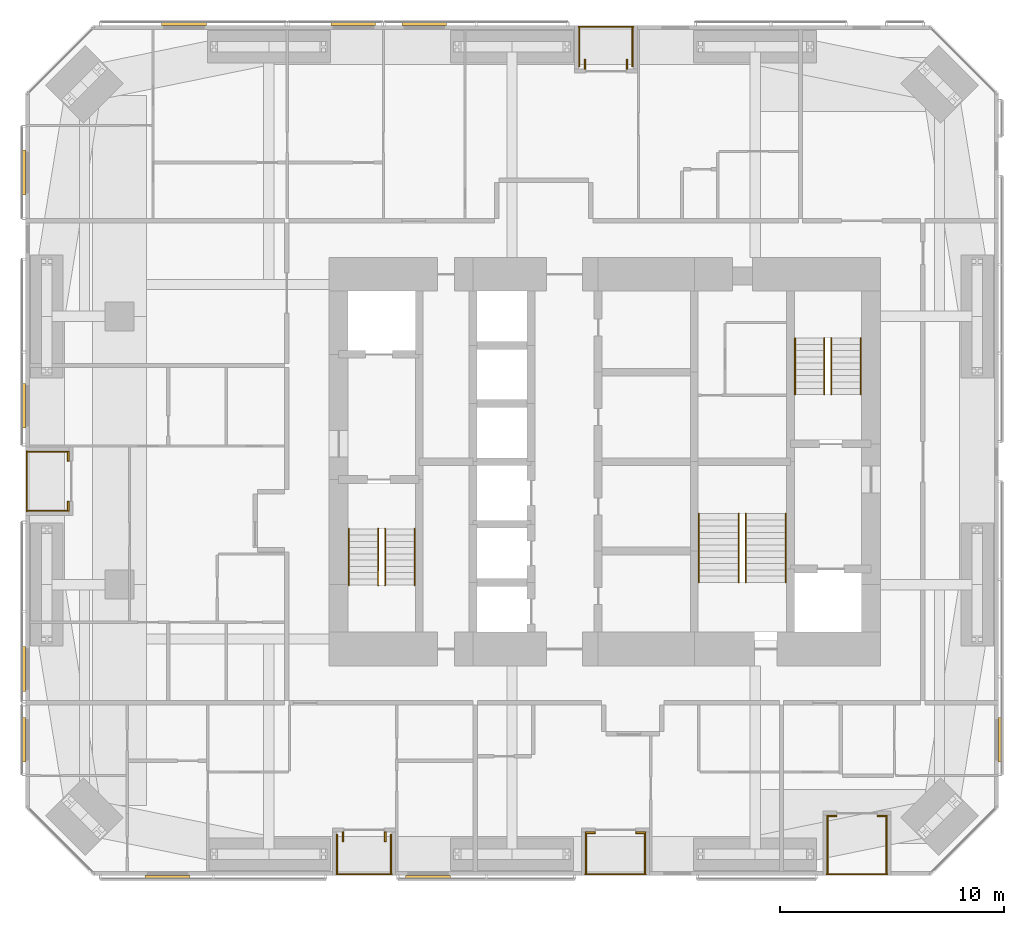
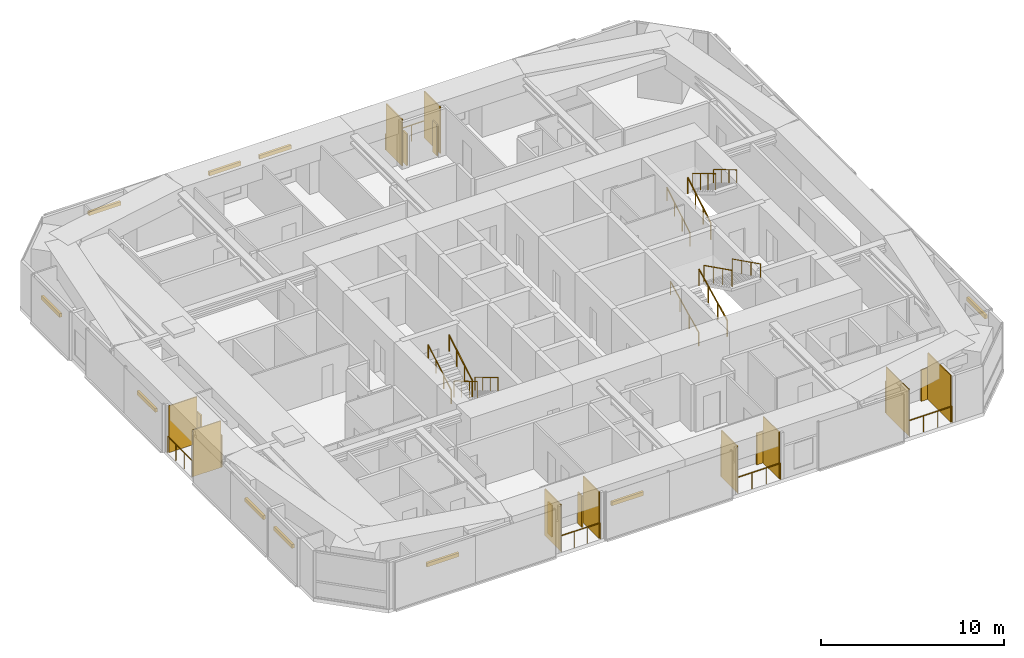
# One storey, part 23 of 23: 30 shading devices, 17 railings.
"""IFC4 building model written with IfcOpenShell, lengths in metres."""

from ifc_helpers import new_model, si_unit, direction, frame, origin, origin_2d, place, context, subcontext, project, spatial, rectangle, circle, extrude, material, layer, layer_set, constituent, constituent_set, type_object, element, save


model = new_model("IFC4")

# Units and contexts
model_context = context("Model", 3, precision=1e-05, world=origin(), true_north=direction((0.0, 1.0)))
body_context = subcontext(model_context, "Body", "Model", "MODEL_VIEW")
ifc_project = project(units=[si_unit("LENGTHUNIT", "METRE"), si_unit("AREAUNIT", "SQUARE_METRE"), si_unit("VOLUMEUNIT", "CUBIC_METRE"), si_unit("PLANEANGLEUNIT", "RADIAN"), si_unit("MASSUNIT", "GRAM", prefix="KILO")], contexts=[model_context])

# Site, building, storey
site_placement = place(None, origin())
site = spatial("IfcSite", under=ifc_project, at=site_placement, CompositionType="ELEMENT")
building_placement = place(site_placement, origin())
building = spatial("IfcBuilding", under=site, at=building_placement, Name="Jalousie Tower", CompositionType="ELEMENT")
storey_placement = place(building_placement, frame((0.0, 0.0, 111.550048828125)))
storey = spatial("IfcBuildingStorey", under=building, at=storey_placement, Name="L30", CompositionType="ELEMENT", Elevation=111.550048828125)

# Shading devices
ifc_material_1 = material(Name="Aluminium impact-rated louvred storm shutter", Category="aluminium")
shading_device_type_1 = type_object("IfcShadingDeviceType", Name="BI-FOLD STORM SHUTTER 900x2100", PredefinedType="SHUTTER", material=ifc_material_1)
for number, where, z_axis, x_axis, name in (
    (1, (20.197509765625, 1.72509765625, 0.0), (0.0, 0.0, 1.0), (0.0, 1.0, 0.0), "Loggia storm shutter L30"),
    (2, (22.077392578125, 1.72509765625, 0.0), (0.0, 0.0, 1.0), (0.0, 1.0, 0.0), "Loggia storm shutter L30"),
    (3, (31.25, 1.909912109375, 0.0), (0.0, 0.0, 1.0), (1.0, 0.0, 0.0), "Loggia storm shutter L30"),
    (4, (33.5, 1.909912109375, 0.0), (0.0, 0.0, 1.0), (1.0, 0.0, 0.0), "Loggia storm shutter L30"),
    (5, (42.050048828125, 2.659912109375, 0.0), (0.0, 0.0, 1.0), (1.0, 0.0, 0.0), "Loggia storm shutter L30"),
    (6, (44.300048828125, 2.659912109375, 0.0), (0.0, 0.0, 1.0), (1.0, 0.0, 0.0), "Loggia storm shutter L30"),
    (7, (32.890625, 36.27490234375, 0.0), (0.0, 0.0, 1.0), (0.0, -1.0, 0.0), "Loggia storm shutter L30"),
    (8, (31.010498046875, 36.27490234375, 0.0), (0.0, 0.0, 1.0), (0.0, -1.0, 0.0), "Loggia storm shutter L30"),
    (9, (7.909912109375, 18.75, 0.0), (0.0, 0.0, 1.0), (0.0, -1.0, 0.0), "Loggia storm shutter L30"),
    (10, (7.909912109375, 16.5, 0.0), (0.0, 0.0, 1.0), (0.0, -1.0, 0.0), "Loggia storm shutter L30"),
):
    element("IfcShadingDevice", number, at=place(storey_placement, frame(where, z_axis=z_axis, x_axis=x_axis)), inside=storey, type_object=shading_device_type_1, Name=name, PredefinedType="SHUTTER", context=body_context, shape_type="SweptSolid", body=[
        extrude(rectangle(XDim=0.449951171875, YDim=0.080078125, at=origin_2d()), origin(), (0.0, 0.0, 1.0), 2.10009765625),
    ])

# Railings
ifc_material_2 = material(Name="Powder-coated aluminium fretwork", Category="aluminium")
railing_type_1 = type_object("IfcRailingType", Name="FRETWORK BALUSTRADE 1100", PredefinedType="BALUSTRADE", material=ifc_material_2)
railing_1_placement = place(storey_placement, frame((19.89990234375, 0.050048828125, 0.0)))
element("IfcRailing", 11, at=railing_1_placement, inside=storey, type_object=railing_type_1, Name="Loggia fretwork balustrade L30", PredefinedType="BALUSTRADE", context=body_context, shape_type="SweptSolid", body=[
    extrude(rectangle(XDim=0.048095703125, YDim=0.048095703125, at=origin_2d()), frame((0.0, 0.0, 1.076171875), z_axis=(1.0, 0.0, 0.0), x_axis=(0.0, 1.0, 0.0)), (0.0, 0.0, 1.0), 2.47509765625),
    extrude(circle(Radius=0.02099609375, at=origin_2d()), origin(), (0.0, 0.0, 1.0), 1.052001953125),
    extrude(circle(Radius=0.02099609375, at=origin_2d()), frame((0.824951171875, 0.0, 0.0)), (0.0, 0.0, 1.0), 1.052001953125),
    extrude(circle(Radius=0.02099609375, at=origin_2d()), frame((1.650146484375, 0.0, 0.0)), (0.0, 0.0, 1.0), 1.052001953125),
    extrude(circle(Radius=0.02099609375, at=origin_2d()), frame((2.47509765625, 0.0, 0.0)), (0.0, 0.0, 1.0), 1.052001953125),
])
railing_2_placement = place(storey_placement, frame((31.02490234375, 0.050048828125, 0.0)))
element("IfcRailing", 12, at=railing_2_placement, inside=storey, type_object=railing_type_1, Name="Loggia fretwork balustrade L30", PredefinedType="BALUSTRADE", context=body_context, shape_type="SweptSolid", body=[
    extrude(rectangle(XDim=0.048095703125, YDim=0.048095703125, at=origin_2d()), frame((0.0, 0.0, 1.076171875), z_axis=(1.0, 0.0, 0.0), x_axis=(0.0, 1.0, 0.0)), (0.0, 0.0, 1.0), 2.7001953125),
    extrude(circle(Radius=0.02099609375, at=origin_2d()), origin(), (0.0, 0.0, 1.0), 1.052001953125),
    extrude(circle(Radius=0.02099609375, at=origin_2d()), frame((0.900146484375, 0.0, 0.0)), (0.0, 0.0, 1.0), 1.052001953125),
    extrude(circle(Radius=0.02099609375, at=origin_2d()), frame((1.800048828125, 0.0, 0.0)), (0.0, 0.0, 1.0), 1.052001953125),
    extrude(circle(Radius=0.02099609375, at=origin_2d()), frame((2.7001953125, 0.0, 0.0)), (0.0, 0.0, 1.0), 1.052001953125),
])
railing_3_placement = place(storey_placement, frame((41.824951171875, 0.050048828125, 0.0)))
element("IfcRailing", 13, at=railing_3_placement, inside=storey, type_object=railing_type_1, Name="Loggia fretwork balustrade L30", PredefinedType="BALUSTRADE", context=body_context, shape_type="SweptSolid", body=[
    extrude(rectangle(XDim=0.048095703125, YDim=0.048095703125, at=origin_2d()), frame((0.0, 0.0, 1.076171875), z_axis=(1.0, 0.0, 0.0), x_axis=(0.0, 1.0, 0.0)), (0.0, 0.0, 1.0), 2.699951171875),
    extrude(circle(Radius=0.02099609375, at=origin_2d()), origin(), (0.0, 0.0, 1.0), 1.052001953125),
    extrude(circle(Radius=0.02099609375, at=origin_2d()), frame((0.89990234375, 0.0, 0.0)), (0.0, 0.0, 1.0), 1.052001953125),
    extrude(circle(Radius=0.02099609375, at=origin_2d()), frame((1.800048828125, 0.0, 0.0)), (0.0, 0.0, 1.0), 1.052001953125),
    extrude(circle(Radius=0.02099609375, at=origin_2d()), frame((2.699951171875, 0.0, 0.0)), (0.0, 0.0, 1.0), 1.052001953125),
])
railing_4_placement = place(storey_placement, frame((33.175537109375, 37.949951171875, 0.0)))
element("IfcRailing", 14, at=railing_4_placement, inside=storey, type_object=railing_type_1, Name="Loggia fretwork balustrade L30", PredefinedType="BALUSTRADE", context=body_context, shape_type="SweptSolid", body=[
    extrude(rectangle(XDim=0.048095703125, YDim=0.048095703125, at=origin_2d()), frame((0.0, 0.0, 1.076171875), z_axis=(-1.0, 0.0, 0.0), x_axis=(0.0, -1.0, 0.0)), (0.0, 0.0, 1.0), 2.449951171875),
    extrude(circle(Radius=0.02099609375, at=origin_2d()), origin(), (0.0, 0.0, 1.0), 1.052001953125),
    extrude(circle(Radius=0.02099609375, at=origin_2d()), frame((-0.816650390625, 0.0, 0.0)), (0.0, 0.0, 1.0), 1.052001953125),
    extrude(circle(Radius=0.02099609375, at=origin_2d()), frame((-1.63330078125, 0.0, 0.0)), (0.0, 0.0, 1.0), 1.052001953125),
    extrude(circle(Radius=0.02099609375, at=origin_2d()), frame((-2.449951171875, 0.0, 0.0)), (0.0, 0.0, 1.0), 1.052001953125),
])
railing_5_placement = place(storey_placement, frame((6.050048828125, 18.97509765625, 0.0)))
element("IfcRailing", 15, at=railing_5_placement, inside=storey, type_object=railing_type_1, Name="Loggia fretwork balustrade L30", PredefinedType="BALUSTRADE", context=body_context, shape_type="SweptSolid", body=[
    extrude(rectangle(XDim=0.048095703125, YDim=0.048095703125, at=origin_2d()), frame((0.0, 0.0, 1.076171875), z_axis=(0.0, -1.0, 0.0), x_axis=(1.0, 0.0, 0.0)), (0.0, 0.0, 1.0), 2.7001953125),
    extrude(circle(Radius=0.02099609375, at=origin_2d()), origin(), (0.0, 0.0, 1.0), 1.052001953125),
    extrude(circle(Radius=0.02099609375, at=origin_2d()), frame((0.0, -0.900146484375, 0.0)), (0.0, 0.0, 1.0), 1.052001953125),
    extrude(circle(Radius=0.02099609375, at=origin_2d()), frame((0.0, -1.800048828125, 0.0)), (0.0, 0.0, 1.0), 1.052001953125),
    extrude(circle(Radius=0.02099609375, at=origin_2d()), frame((0.0, -2.7001953125, 0.0)), (0.0, 0.0, 1.0), 1.052001953125),
])

# Shading devices
ifc_material_3 = material(Name="Powder-coated aluminium louvres", Category="aluminium")
ifc_layer = layer(ifc_material_3, 0.06005859375)
ifc_layer_set = layer_set([ifc_layer], Name="Powder-coated aluminium louvres")
shading_device_type_2 = type_object("IfcShadingDeviceType", Name="JALOUSIE LOUVRE SCREEN", PredefinedType="JALOUSIE", material=ifc_layer_set)
for number, where, z_axis, x_axis, name in (
    (16, (19.929931640625, 0.97509765625, 0.0), (0.0, 0.0, 1.0), (1.0, 0.0, 0.0), "Loggia jalousie louvre screen L30"),
    (17, (22.344970703125, 0.97509765625, 0.0), (0.0, 0.0, 1.0), (1.0, 0.0, 0.0), "Loggia jalousie louvre screen L30"),
    (18, (31.054931640625, 0.97509765625, 0.0), (0.0, 0.0, 1.0), (1.0, 0.0, 0.0), "Loggia jalousie louvre screen L30"),
    (19, (33.695068359375, 0.97509765625, 0.0), (0.0, 0.0, 1.0), (1.0, 0.0, 0.0), "Loggia jalousie louvre screen L30"),
):
    element("IfcShadingDevice", number, at=place(storey_placement, frame(where, z_axis=z_axis, x_axis=x_axis)), inside=storey, type_object=shading_device_type_2, Name=name, PredefinedType="JALOUSIE", context=body_context, shape_type="SweptSolid", body=[
        extrude(rectangle(XDim=0.06005859375, YDim=1.75, at=origin_2d()), origin(), (0.0, 0.0, 1.0), 3.110107421875),
    ])
for number, where, z_axis, x_axis, name in (
    (20, (41.85498046875, 1.35009765625, 0.0), (0.0, 0.0, 1.0), (1.0, 0.0, 0.0), "Loggia jalousie louvre screen L30"),
    (21, (44.4951171875, 1.35009765625, 0.0), (0.0, 0.0, 1.0), (1.0, 0.0, 0.0), "Loggia jalousie louvre screen L30"),
):
    element("IfcShadingDevice", number, at=place(storey_placement, frame(where, z_axis=z_axis, x_axis=x_axis)), inside=storey, type_object=shading_device_type_2, Name=name, PredefinedType="JALOUSIE", context=body_context, shape_type="SweptSolid", body=[
        extrude(rectangle(XDim=0.06005859375, YDim=2.5, at=origin_2d()), origin(), (0.0, 0.0, 1.0), 3.110107421875),
    ])
for number, where, z_axis, x_axis, name in (
    (22, (33.1455078125, 37.02490234375, 0.0), (0.0, 0.0, 1.0), (-1.0, 0.0, 0.0), "Loggia jalousie louvre screen L30"),
    (23, (30.755615234375, 37.02490234375, 0.0), (0.0, 0.0, 1.0), (-1.0, 0.0, 0.0), "Loggia jalousie louvre screen L30"),
    (24, (6.97509765625, 18.945068359375, 0.0), (0.0, 0.0, 1.0), (0.0, -1.0, 0.0), "Loggia jalousie louvre screen L30"),
    (25, (6.97509765625, 16.304931640625, 0.0), (0.0, 0.0, 1.0), (0.0, -1.0, 0.0), "Loggia jalousie louvre screen L30"),
):
    element("IfcShadingDevice", number, at=place(storey_placement, frame(where, z_axis=z_axis, x_axis=x_axis)), inside=storey, type_object=shading_device_type_2, Name=name, PredefinedType="JALOUSIE", context=body_context, shape_type="SweptSolid", body=[
        extrude(rectangle(XDim=0.06005859375, YDim=1.75, at=origin_2d()), origin(), (0.0, 0.0, 1.0), 3.110107421875),
    ])

# Railings
ifc_material_4 = material(Name="Steel ASTM A500 Grade C", Category="steel")
ifc_constituent_1 = constituent(ifc_material_4, Name="Body")
ifc_material_5 = material(Name="Hot-dip galvanised zinc coating")
ifc_constituent_2 = constituent(ifc_material_5, Name="Finish")
ifc_constituent_set_1 = constituent_set(constituents=[ifc_constituent_1, ifc_constituent_2])
railing_type_2 = type_object("IfcRailingType", Name="STAIR GUARD 1100", PredefinedType="GUARDRAIL", material=ifc_constituent_set_1)
railing_6_placement = place(storey_placement, frame((22.080078125, 15.49755859375, 0.16748046875)))
element("IfcRailing", 26, at=railing_6_placement, inside=storey, type_object=railing_type_2, Name="Exit stair A guard L30 flight 1", PredefinedType="GUARDRAIL", context=body_context, shape_type="SweptSolid", body=[
    extrude(rectangle(XDim=0.048095703125, YDim=0.048095703125, at=origin_2d()), frame((0.0, 0.0, 1.076171875), z_axis=(0.0, -0.858159760407, 0.513382728203), x_axis=(1.0, 0.0, 0.0)), (0.0, 0.0, 1.0), 2.9365234375),
    extrude(circle(Radius=0.02099609375, at=origin_2d()), origin(), (0.0, 0.0, 1.0), 1.052001953125),
    extrude(circle(Radius=0.02099609375, at=origin_2d()), frame((0.0, -0.840087890625, 0.50244140625)), (0.0, 0.0, 1.0), 1.052001953125),
    extrude(circle(Radius=0.02099609375, at=origin_2d()), frame((0.0, -1.679931640625, 1.005126953125)), (0.0, 0.0, 1.0), 1.052001953125),
    extrude(circle(Radius=0.02099609375, at=origin_2d()), frame((0.0, -2.52001953125, 1.507568359375)), (0.0, 0.0, 1.0), 1.052001953125),
])
railing_7_placement = place(storey_placement, frame((21.77001953125, 12.9775390625, 1.842529296875)))
element("IfcRailing", 27, at=railing_7_placement, inside=storey, type_object=railing_type_2, Name="Exit stair A guard L30 flight 2", PredefinedType="GUARDRAIL", context=body_context, shape_type="SweptSolid", body=[
    extrude(rectangle(XDim=0.048095703125, YDim=0.048095703125, at=origin_2d()), frame((0.0, 0.0, 1.076171875), z_axis=(0.0, 0.858196387827, 0.513321497621), x_axis=(-1.0, 0.0, 0.0)), (0.0, 0.0, 1.0), 2.9365234375),
    extrude(circle(Radius=0.02099609375, at=origin_2d()), origin(), (0.0, 0.0, 1.0), 1.052001953125),
    extrude(circle(Radius=0.02099609375, at=origin_2d()), frame((0.0, 0.840087890625, 0.50244140625)), (0.0, 0.0, 1.0), 1.052001953125),
    extrude(circle(Radius=0.02099609375, at=origin_2d()), frame((0.0, 1.679931640625, 1.0048828125)), (0.0, 0.0, 1.0), 1.052001953125),
    extrude(circle(Radius=0.02099609375, at=origin_2d()), frame((0.0, 2.52001953125, 1.50732421875)), (0.0, 0.0, 1.0), 1.052001953125),
])
railing_8_placement = place(storey_placement, frame((41.719970703125, 21.50244140625, 0.16748046875)))
element("IfcRailing", 28, at=railing_8_placement, inside=storey, type_object=railing_type_2, Name="Exit stair B guard L30 flight 1", PredefinedType="GUARDRAIL", context=body_context, shape_type="SweptSolid", body=[
    extrude(rectangle(XDim=0.048095703125, YDim=0.048095703125, at=origin_2d()), frame((0.0, 0.0, 1.076171875), z_axis=(0.0, 0.858159760407, 0.513382728203), x_axis=(-1.0, 0.0, 0.0)), (0.0, 0.0, 1.0), 2.9365234375),
    extrude(circle(Radius=0.02099609375, at=origin_2d()), origin(), (0.0, 0.0, 1.0), 1.052001953125),
    extrude(circle(Radius=0.02099609375, at=origin_2d()), frame((0.0, 0.840087890625, 0.50244140625)), (0.0, 0.0, 1.0), 1.052001953125),
    extrude(circle(Radius=0.02099609375, at=origin_2d()), frame((0.0, 1.679931640625, 1.005126953125)), (0.0, 0.0, 1.0), 1.052001953125),
    extrude(circle(Radius=0.02099609375, at=origin_2d()), frame((0.0, 2.52001953125, 1.507568359375)), (0.0, 0.0, 1.0), 1.052001953125),
])
railing_9_placement = place(storey_placement, frame((42.030029296875, 24.0224609375, 1.842529296875)))
element("IfcRailing", 29, at=railing_9_placement, inside=storey, type_object=railing_type_2, Name="Exit stair B guard L30 flight 2", PredefinedType="GUARDRAIL", context=body_context, shape_type="SweptSolid", body=[
    extrude(rectangle(XDim=0.048095703125, YDim=0.048095703125, at=origin_2d()), frame((0.0, 0.0, 1.076171875), z_axis=(0.0, -0.858196387827, 0.513321497621), x_axis=(1.0, 0.0, 0.0)), (0.0, 0.0, 1.0), 2.9365234375),
    extrude(circle(Radius=0.02099609375, at=origin_2d()), origin(), (0.0, 0.0, 1.0), 1.052001953125),
    extrude(circle(Radius=0.02099609375, at=origin_2d()), frame((0.0, -0.840087890625, 0.50244140625)), (0.0, 0.0, 1.0), 1.052001953125),
    extrude(circle(Radius=0.02099609375, at=origin_2d()), frame((0.0, -1.679931640625, 1.0048828125)), (0.0, 0.0, 1.0), 1.052001953125),
    extrude(circle(Radius=0.02099609375, at=origin_2d()), frame((0.0, -2.52001953125, 1.50732421875)), (0.0, 0.0, 1.0), 1.052001953125),
])
railing_10_placement = place(storey_placement, frame((37.89501953125, 13.097412109375, 0.1396484375)))
element("IfcRailing", 30, at=railing_10_placement, inside=storey, type_object=railing_type_2, Name="Exit stair C guard L30 flight 1", PredefinedType="GUARDRAIL", context=body_context, shape_type="SweptSolid", body=[
    extrude(rectangle(XDim=0.048095703125, YDim=0.048095703125, at=origin_2d()), frame((0.0, 0.0, 1.076171875), z_axis=(0.0, 0.894965676997, 0.446134998624), x_axis=(-1.0, 0.0, 0.0)), (0.0, 0.0, 1.0), 3.441650390625),
    extrude(circle(Radius=0.02099609375, at=origin_2d()), origin(), (0.0, 0.0, 1.0), 1.052001953125),
    extrude(circle(Radius=0.02099609375, at=origin_2d()), frame((0.0, 1.026611328125, 0.51171875)), (0.0, 0.0, 1.0), 1.052001953125),
    extrude(circle(Radius=0.02099609375, at=origin_2d()), frame((0.0, 2.053466796875, 1.023681640625)), (0.0, 0.0, 1.0), 1.052001953125),
    extrude(circle(Radius=0.02099609375, at=origin_2d()), frame((0.0, 3.080078125, 1.535400390625)), (0.0, 0.0, 1.0), 1.052001953125),
])
railing_11_placement = place(storey_placement, frame((38.205078125, 16.177490234375, 1.814453125)))
element("IfcRailing", 31, at=railing_11_placement, inside=storey, type_object=railing_type_2, Name="Exit stair C guard L30 flight 2", PredefinedType="GUARDRAIL", context=body_context, shape_type="SweptSolid", body=[
    extrude(rectangle(XDim=0.048095703125, YDim=0.048095703125, at=origin_2d()), frame((0.0, 0.0, 1.076171875), z_axis=(0.0, -0.894965676997, 0.446134998624), x_axis=(1.0, 0.0, 0.0)), (0.0, 0.0, 1.0), 3.441650390625),
    extrude(circle(Radius=0.02099609375, at=origin_2d()), origin(), (0.0, 0.0, 1.0), 1.052001953125),
    extrude(circle(Radius=0.02099609375, at=origin_2d()), frame((0.0, -1.026611328125, 0.51171875)), (0.0, 0.0, 1.0), 1.052001953125),
    extrude(circle(Radius=0.02099609375, at=origin_2d()), frame((0.0, -2.053466796875, 1.023681640625)), (0.0, 0.0, 1.0), 1.052001953125),
    extrude(circle(Radius=0.02099609375, at=origin_2d()), frame((0.0, -3.080078125, 1.535400390625)), (0.0, 0.0, 1.0), 1.052001953125),
])
ifc_material_6 = material(Name="Steel ASTM A500 Grade C", Category="steel")
ifc_constituent_3 = constituent(ifc_material_6, Name="Body")
ifc_material_7 = material(Name="Hot-dip galvanised zinc coating")
ifc_constituent_4 = constituent(ifc_material_7, Name="Finish")
ifc_constituent_set_2 = constituent_set(constituents=[ifc_constituent_3, ifc_constituent_4])
railing_type_3 = type_object("IfcRailingType", Name="STAIR HANDRAIL 900", PredefinedType="HANDRAIL", material=ifc_constituent_set_2)
railing_12_placement = place(storey_placement, frame((23.39501953125, 15.49755859375, 0.16748046875)))
element("IfcRailing", 32, at=railing_12_placement, inside=storey, type_object=railing_type_3, Name="Exit stair A handrail L30 flight 1", PredefinedType="HANDRAIL", context=body_context, shape_type="SweptSolid", body=[
    extrude(circle(Radius=0.02392578125, at=origin_2d()), frame((0.0, 0.0, 0.8759765625), z_axis=(0.0, -0.858159760407, 0.513382728203), x_axis=(1.0, 0.0, 0.0)), (0.0, 0.0, 1.0), 2.9365234375),
    extrude(circle(Radius=0.02099609375, at=origin_2d()), origin(), (0.0, 0.0, 1.0), 0.851806640625),
    extrude(circle(Radius=0.02099609375, at=origin_2d()), frame((0.0, -0.840087890625, 0.50244140625)), (0.0, 0.0, 1.0), 0.851806640625),
    extrude(circle(Radius=0.02099609375, at=origin_2d()), frame((0.0, -1.679931640625, 1.005126953125)), (0.0, 0.0, 1.0), 0.851806640625),
    extrude(circle(Radius=0.02099609375, at=origin_2d()), frame((0.0, -2.52001953125, 1.507568359375)), (0.0, 0.0, 1.0), 0.851806640625),
])
railing_13_placement = place(storey_placement, frame((20.455078125, 12.9775390625, 1.842529296875)))
element("IfcRailing", 33, at=railing_13_placement, inside=storey, type_object=railing_type_3, Name="Exit stair A handrail L30 flight 2", PredefinedType="HANDRAIL", context=body_context, shape_type="SweptSolid", body=[
    extrude(circle(Radius=0.02392578125, at=origin_2d()), frame((0.0, 0.0, 0.8759765625), z_axis=(0.0, 0.858196387827, 0.513321497621), x_axis=(-1.0, 0.0, 0.0)), (0.0, 0.0, 1.0), 2.9365234375),
    extrude(circle(Radius=0.02099609375, at=origin_2d()), origin(), (0.0, 0.0, 1.0), 0.851806640625),
    extrude(circle(Radius=0.02099609375, at=origin_2d()), frame((0.0, 0.840087890625, 0.50244140625)), (0.0, 0.0, 1.0), 0.851806640625),
    extrude(circle(Radius=0.02099609375, at=origin_2d()), frame((0.0, 1.679931640625, 1.0048828125)), (0.0, 0.0, 1.0), 0.851806640625),
    extrude(circle(Radius=0.02099609375, at=origin_2d()), frame((0.0, 2.52001953125, 1.50732421875)), (0.0, 0.0, 1.0), 0.851806640625),
])
railing_14_placement = place(storey_placement, frame((40.405029296875, 21.50244140625, 0.16748046875)))
element("IfcRailing", 34, at=railing_14_placement, inside=storey, type_object=railing_type_3, Name="Exit stair B handrail L30 flight 1", PredefinedType="HANDRAIL", context=body_context, shape_type="SweptSolid", body=[
    extrude(circle(Radius=0.02392578125, at=origin_2d()), frame((0.0, 0.0, 0.8759765625), z_axis=(0.0, 0.858159760407, 0.513382728203), x_axis=(-1.0, 0.0, 0.0)), (0.0, 0.0, 1.0), 2.9365234375),
    extrude(circle(Radius=0.02099609375, at=origin_2d()), origin(), (0.0, 0.0, 1.0), 0.851806640625),
    extrude(circle(Radius=0.02099609375, at=origin_2d()), frame((0.0, 0.840087890625, 0.50244140625)), (0.0, 0.0, 1.0), 0.851806640625),
    extrude(circle(Radius=0.02099609375, at=origin_2d()), frame((0.0, 1.679931640625, 1.005126953125)), (0.0, 0.0, 1.0), 0.851806640625),
    extrude(circle(Radius=0.02099609375, at=origin_2d()), frame((0.0, 2.52001953125, 1.507568359375)), (0.0, 0.0, 1.0), 0.851806640625),
])
railing_15_placement = place(storey_placement, frame((43.344970703125, 24.0224609375, 1.842529296875)))
element("IfcRailing", 35, at=railing_15_placement, inside=storey, type_object=railing_type_3, Name="Exit stair B handrail L30 flight 2", PredefinedType="HANDRAIL", context=body_context, shape_type="SweptSolid", body=[
    extrude(circle(Radius=0.02392578125, at=origin_2d()), frame((0.0, 0.0, 0.8759765625), z_axis=(0.0, -0.858196387827, 0.513321497621), x_axis=(1.0, 0.0, 0.0)), (0.0, 0.0, 1.0), 2.9365234375),
    extrude(circle(Radius=0.02099609375, at=origin_2d()), origin(), (0.0, 0.0, 1.0), 0.851806640625),
    extrude(circle(Radius=0.02099609375, at=origin_2d()), frame((0.0, -0.840087890625, 0.50244140625)), (0.0, 0.0, 1.0), 0.851806640625),
    extrude(circle(Radius=0.02099609375, at=origin_2d()), frame((0.0, -1.679931640625, 1.0048828125)), (0.0, 0.0, 1.0), 0.851806640625),
    extrude(circle(Radius=0.02099609375, at=origin_2d()), frame((0.0, -2.52001953125, 1.50732421875)), (0.0, 0.0, 1.0), 0.851806640625),
])
railing_16_placement = place(storey_placement, frame((36.10498046875, 13.097412109375, 0.1396484375)))
element("IfcRailing", 36, at=railing_16_placement, inside=storey, type_object=railing_type_3, Name="Exit stair C handrail L30 flight 1", PredefinedType="HANDRAIL", context=body_context, shape_type="SweptSolid", body=[
    extrude(circle(Radius=0.02392578125, at=origin_2d()), frame((0.0, 0.0, 0.8759765625), z_axis=(0.0, 0.894965676997, 0.446134998624), x_axis=(-1.0, 0.0, 0.0)), (0.0, 0.0, 1.0), 3.441650390625),
    extrude(circle(Radius=0.02099609375, at=origin_2d()), origin(), (0.0, 0.0, 1.0), 0.851806640625),
    extrude(circle(Radius=0.02099609375, at=origin_2d()), frame((0.0, 1.026611328125, 0.51171875)), (0.0, 0.0, 1.0), 0.851806640625),
    extrude(circle(Radius=0.02099609375, at=origin_2d()), frame((0.0, 2.053466796875, 1.023681640625)), (0.0, 0.0, 1.0), 0.851806640625),
    extrude(circle(Radius=0.02099609375, at=origin_2d()), frame((0.0, 3.080078125, 1.535400390625)), (0.0, 0.0, 1.0), 0.851806640625),
])
railing_17_placement = place(storey_placement, frame((39.9951171875, 16.177490234375, 1.814453125)))
element("IfcRailing", 37, at=railing_17_placement, inside=storey, type_object=railing_type_3, Name="Exit stair C handrail L30 flight 2", PredefinedType="HANDRAIL", context=body_context, shape_type="SweptSolid", body=[
    extrude(circle(Radius=0.02392578125, at=origin_2d()), frame((0.0, 0.0, 0.8759765625), z_axis=(0.0, -0.894965676997, 0.446134998624), x_axis=(1.0, 0.0, 0.0)), (0.0, 0.0, 1.0), 3.441650390625),
    extrude(circle(Radius=0.02099609375, at=origin_2d()), origin(), (0.0, 0.0, 1.0), 0.851806640625),
    extrude(circle(Radius=0.02099609375, at=origin_2d()), frame((0.0, -1.026611328125, 0.51171875)), (0.0, 0.0, 1.0), 0.851806640625),
    extrude(circle(Radius=0.02099609375, at=origin_2d()), frame((0.0, -2.053466796875, 1.023681640625)), (0.0, 0.0, 1.0), 0.851806640625),
    extrude(circle(Radius=0.02099609375, at=origin_2d()), frame((0.0, -3.080078125, 1.535400390625)), (0.0, 0.0, 1.0), 0.851806640625),
])

# Shading devices
ifc_material_8 = material(Name="Aluminium roller storm shutter", Category="aluminium")
shading_device_type_3 = type_object("IfcShadingDeviceType", Name="STORM SHUTTER HOUSING", PredefinedType="SHUTTER", material=ifc_material_8)
for number, where, z_axis, x_axis, name in (
    (38, (12.35009765625, -0.074951171875, 2.099853515625), (0.0, 0.0, 1.0), (1.0, 0.0, 0.0), "Storm shutter L30"),
    (39, (23.989990234375, -0.074951171875, 2.099853515625), (0.0, 0.0, 1.0), (1.0, 0.0, 0.0), "Storm shutter L30"),
    (40, (49.574951171875, 6.0693359375, 2.099853515625), (0.0, 0.0, 1.0), (0.0, 1.0, 0.0), "Storm shutter L30"),
    (41, (23.824951171875, 38.074951171875, 2.099853515625), (0.0, 0.0, 1.0), (-1.0, 0.0, 0.0), "Storm shutter L30"),
    (42, (20.657470703125, 38.074951171875, 2.099853515625), (0.0, 0.0, 1.0), (-1.0, 0.0, 0.0), "Storm shutter L30"),
    (43, (13.0849609375, 38.074951171875, 2.099853515625), (0.0, 0.0, 1.0), (-1.0, 0.0, 0.0), "Storm shutter L30"),
    (44, (5.925048828125, 31.4306640625, 2.099853515625), (0.0, 0.0, 1.0), (0.0, -1.0, 0.0), "Storm shutter L30"),
    (45, (5.925048828125, 21.0, 2.099853515625), (0.0, 0.0, 1.0), (0.0, -1.0, 0.0), "Storm shutter L30"),
    (46, (5.925048828125, 9.22509765625, 2.099853515625), (0.0, 0.0, 1.0), (0.0, -1.0, 0.0), "Storm shutter L30"),
    (47, (5.925048828125, 6.0693359375, 2.099853515625), (0.0, 0.0, 1.0), (0.0, -1.0, 0.0), "Storm shutter L30"),
):
    element("IfcShadingDevice", number, at=place(storey_placement, frame(where, z_axis=z_axis, x_axis=x_axis)), inside=storey, type_object=shading_device_type_3, Name=name, PredefinedType="SHUTTER", context=body_context, shape_type="SweptSolid", body=[
        extrude(rectangle(XDim=2.0, YDim=0.14990234375, at=origin_2d()), origin(), (0.0, 0.0, 1.0), 0.25),
    ])

save(model, "model.ifc")
